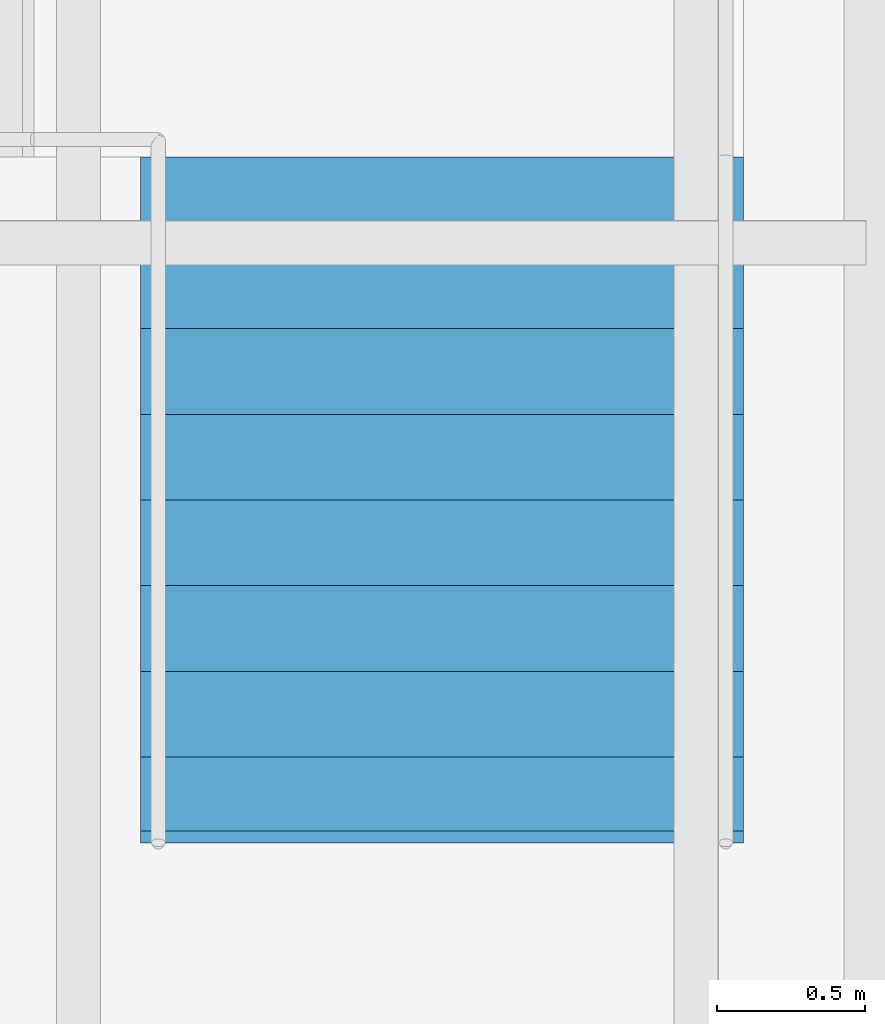
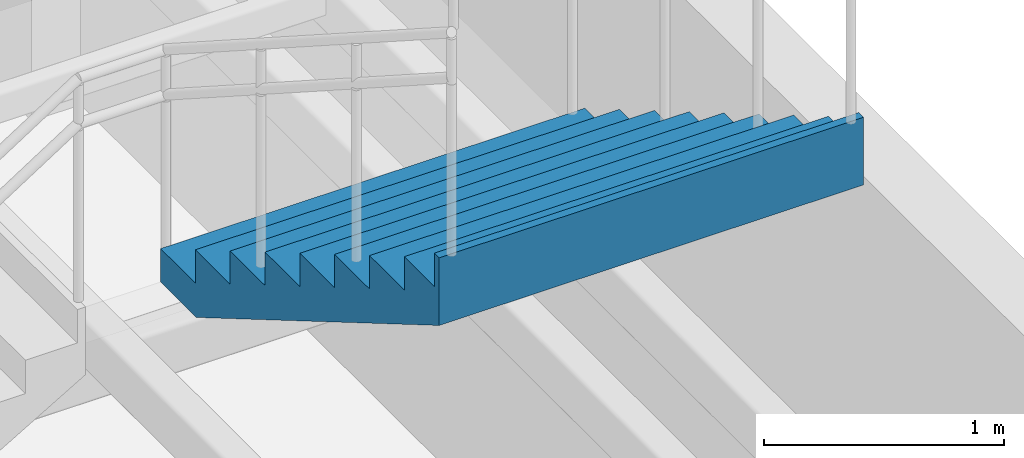
# One storey, part 62 of 69: 1 stair flight, 1 element without a shape of its own.
"""IFC4 building model written with IfcOpenShell, lengths in metres."""

from ifc_helpers import new_model, si_unit, direction, frame, origin, place, context, subcontext, project, spatial, triangles, material, type_object, element, aggregate, save


model = new_model("IFC4")

# Units and contexts
model_context = context("Model", 3, precision=1e-05, world=origin(), true_north=direction((0.0, 1.0)))
body_context = subcontext(model_context, "Body", "Model", "MODEL_VIEW")
ifc_project = project(units=[si_unit("LENGTHUNIT", "METRE"), si_unit("AREAUNIT", "SQUARE_METRE"), si_unit("VOLUMEUNIT", "CUBIC_METRE"), si_unit("PLANEANGLEUNIT", "RADIAN"), si_unit("MASSUNIT", "GRAM", prefix="KILO")], contexts=[model_context])

# Site, building, storey
site_placement = place(None, origin())
site = spatial("IfcSite", under=ifc_project, at=site_placement, CompositionType="ELEMENT")
building_placement = place(site_placement, origin())
building = spatial("IfcBuilding", under=site, at=building_placement, Name="Sillaruma Civic Art Gallery", CompositionType="ELEMENT")
storey_placement = place(building_placement, frame((0.0, 0.0, 42.330078125)))
storey = spatial("IfcBuildingStorey", under=building, at=storey_placement, Name="L08", CompositionType="ELEMENT", Elevation=42.330078125)

# Stair, stair flight
ifc_material = material(Name="Concrete H35 (35 MPa)", Category="concrete")
stair_type = type_object("IfcStairType", Name="STR-3F-27", PredefinedType="TWO_QUARTER_TURN_STAIR", material=ifc_material)
stair_placement = place(storey_placement, origin())
stair = element("IfcStair", 1, at=stair_placement, inside=storey, type_object=stair_type, Name="Monumental Gallery Feature Stair ST-G05 (L08)", PredefinedType="TWO_QUARTER_TURN_STAIR")
stair_flight_type = type_object("IfcStairFlightType", Name="SFL-STR-9", PredefinedType="STRAIGHT", material=ifc_material)
stair_flight_placement = place(storey_placement, frame((90.340087890625, 83.659912109375, 3.059814453125), z_axis=(0.0, 0.0, 1.0), x_axis=(0.0, -1.0, 0.0)))
stair_flight = element("IfcStairFlight", 2, at=stair_flight_placement, type_object=stair_flight_type, Name="ST-G05 flight 3", NumberOfRisers=9, NumberOfTreads=8, PredefinedType="STRAIGHT", RiserHeight=0.17, TreadLength=0.29, context=body_context, shape_type="Tessellation", body=[
    triangles([(0.0, -1.02001953125, 0.0), (0.29, -1.02001953125, 0.0), (0.296482, -1.02001953125, 0.0), (0.58, -1.02001953125, 0.1662), (0.87, -1.02001953125, 0.3362), (1.16, -1.02001953125, 0.5062), (1.45, -1.02001953125, 0.6762), (1.74, -1.02001953125, 0.8462), (2.03, -1.02001953125, 1.0162), (2.280068, -1.02001953125, 1.162792), (2.320068, -1.02001953125, 1.18624), (2.320068, -1.02001953125, 1.53), (2.280068, -1.02001953125, 1.53), (2.280068, -1.02001953125, 1.36), (2.03, -1.02001953125, 1.36), (2.03, -1.02001953125, 1.19), (1.74, -1.02001953125, 1.19), (1.74, -1.02001953125, 1.02), (1.45, -1.02001953125, 1.02), (1.45, -1.02001953125, 0.85), (1.16, -1.02001953125, 0.85), (1.16, -1.02001953125, 0.68), (0.87, -1.02001953125, 0.68), (0.87, -1.02001953125, 0.51), (0.58, -1.02001953125, 0.51), (0.58, -1.02001953125, 0.34), (0.296482, -1.02001953125, 0.34), (0.29, -1.02001953125, 0.34), (0.29, -1.02001953125, 0.17), (0.0, -1.02001953125, 0.17), (0.0, -0.05, 0.0), (0.29, -0.05, 0.0), (0.296482, -0.05, 0.0), (0.58, -0.05, 0.1662), (0.87, -0.05, 0.3362), (1.16, -0.05, 0.5062), (1.45, -0.05, 0.6762), (1.74, -0.05, 0.8462), (2.03, -0.05, 1.0162), (2.280068, -0.05, 1.162792), (2.320068, -0.05, 1.18624), (2.320068, -0.05, 1.53), (2.280068, -0.05, 1.53), (2.280068, -0.05, 1.36), (2.03, -0.05, 1.36), (2.03, -0.05, 1.19), (1.74, -0.05, 1.19), (1.74, -0.05, 1.02), (1.45, -0.05, 1.02), (1.45, -0.05, 0.85), (1.16, -0.05, 0.85), (1.16, -0.05, 0.68), (0.87, -0.05, 0.68), (0.87, -0.05, 0.51), (0.58, -0.05, 0.51), (0.58, -0.05, 0.34), (0.296482, -0.05, 0.34), (0.29, -0.05, 0.34), (0.29, -0.05, 0.17), (0.0, -0.05, 0.17), (0.0, -0.0375, 0.0), (0.29, -0.0375, 0.0), (0.296482, -0.0375, 0.0), (0.58, -0.0375, 0.1662), (0.87, -0.0375, 0.3362), (1.16, -0.0375, 0.5062), (1.45, -0.0375, 0.6762), (1.74, -0.0375, 0.8462), (2.03, -0.0375, 1.0162), (2.280068, -0.0375, 1.162792), (2.320068, -0.0375, 1.18624), (2.320068, -0.0375, 1.53), (2.280068, -0.0375, 1.53), (2.280068, -0.0375, 1.36), (2.03, -0.0375, 1.36), (2.03, -0.0375, 1.19), (1.74, -0.0375, 1.19), (1.74, -0.0375, 1.02), (1.45, -0.0375, 1.02), (1.45, -0.0375, 0.85), (1.16, -0.0375, 0.85), (1.16, -0.0375, 0.68), (0.87, -0.0375, 0.68), (0.87, -0.0375, 0.51), (0.58, -0.0375, 0.51), (0.58, -0.0375, 0.34), (0.296482, -0.0375, 0.34), (0.29, -0.0375, 0.34), (0.29, -0.0375, 0.17), (0.0, -0.0375, 0.17), (0.0, -0.025, 0.0), (0.29, -0.025, 0.0), (0.296482, -0.025, 0.0), (0.58, -0.025, 0.1662), (0.87, -0.025, 0.3362), (1.16, -0.025, 0.5062), (1.45, -0.025, 0.6762), (1.74, -0.025, 0.8462), (2.03, -0.025, 1.0162), (2.280068, -0.025, 1.162792), (2.320068, -0.025, 1.18624), (2.320068, -0.025, 1.53), (2.280068, -0.025, 1.53), (2.280068, -0.025, 1.36), (2.03, -0.025, 1.36), (2.03, -0.025, 1.19), (1.74, -0.025, 1.19), (1.74, -0.025, 1.02), (1.45, -0.025, 1.02), (1.45, -0.025, 0.85), (1.16, -0.025, 0.85), (1.16, -0.025, 0.68), (0.87, -0.025, 0.68), (0.87, -0.025, 0.51), (0.58, -0.025, 0.51), (0.58, -0.025, 0.34), (0.296482, -0.025, 0.34), (0.29, -0.025, 0.34), (0.29, -0.025, 0.17), (0.0, -0.025, 0.17), (0.0, -0.0125, 0.0), (0.29, -0.0125, 0.0), (0.296482, -0.0125, 0.0), (0.58, -0.0125, 0.1662), (0.87, -0.0125, 0.3362), (1.16, -0.0125, 0.5062), (1.45, -0.0125, 0.6762), (1.74, -0.0125, 0.8462), (2.03, -0.0125, 1.0162), (2.280068, -0.0125, 1.162792), (2.320068, -0.0125, 1.18624), (2.320068, -0.0125, 1.53), (2.280068, -0.0125, 1.53), (2.280068, -0.0125, 1.36), (2.03, -0.0125, 1.36), (2.03, -0.0125, 1.19), (1.74, -0.0125, 1.19), (1.74, -0.0125, 1.02), (1.45, -0.0125, 1.02), (1.45, -0.0125, 0.85), (1.16, -0.0125, 0.85), (1.16, -0.0125, 0.68), (0.87, -0.0125, 0.68), (0.87, -0.0125, 0.51), (0.58, -0.0125, 0.51), (0.58, -0.0125, 0.34), (0.296482, -0.0125, 0.34), (0.29, -0.0125, 0.34), (0.29, -0.0125, 0.17), (0.0, -0.0125, 0.17), (0.0, 0.0, 0.0), (0.29, 0.0, 0.0), (0.296482, 0.0, 0.0), (0.58, 0.0, 0.1662), (0.87, 0.0, 0.3362), (1.16, 0.0, 0.5062), (1.45, 0.0, 0.6762), (1.74, 0.0, 0.8462), (2.03, 0.0, 1.0162), (2.280068, 0.0, 1.162792), (2.320068, 0.0, 1.18624), (2.320068, 0.0, 1.53), (2.280068, 0.0, 1.53), (2.280068, 0.0, 1.36), (2.03, 0.0, 1.36), (2.03, 0.0, 1.19), (1.74, 0.0, 1.19), (1.74, 0.0, 1.02), (1.45, 0.0, 1.02), (1.45, 0.0, 0.85), (1.16, 0.0, 0.85), (1.16, 0.0, 0.68), (0.87, 0.0, 0.68), (0.87, 0.0, 0.51), (0.58, 0.0, 0.51), (0.58, 0.0, 0.34), (0.296482, 0.0, 0.34), (0.29, 0.0, 0.34), (0.29, 0.0, 0.17), (0.0, 0.0, 0.17), (0.0, 0.0125, 0.0), (0.29, 0.0125, 0.0), (0.296482, 0.0125, 0.0), (0.58, 0.0125, 0.1662), (0.87, 0.0125, 0.3362), (1.16, 0.0125, 0.5062), (1.45, 0.0125, 0.6762), (1.74, 0.0125, 0.8462), (2.03, 0.0125, 1.0162), (2.280068, 0.0125, 1.162792), (2.320068, 0.0125, 1.18624), (2.320068, 0.0125, 1.53), (2.280068, 0.0125, 1.53), (2.280068, 0.0125, 1.36), (2.03, 0.0125, 1.36), (2.03, 0.0125, 1.19), (1.74, 0.0125, 1.19), (1.74, 0.0125, 1.02), (1.45, 0.0125, 1.02), (1.45, 0.0125, 0.85), (1.16, 0.0125, 0.85), (1.16, 0.0125, 0.68), (0.87, 0.0125, 0.68), (0.87, 0.0125, 0.51), (0.58, 0.0125, 0.51), (0.58, 0.0125, 0.34), (0.296482, 0.0125, 0.34), (0.29, 0.0125, 0.34), (0.29, 0.0125, 0.17), (0.0, 0.0125, 0.17), (0.0, 0.025, 0.0), (0.29, 0.025, 0.0), (0.296482, 0.025, 0.0), (0.58, 0.025, 0.1662), (0.87, 0.025, 0.3362), (1.16, 0.025, 0.5062), (1.45, 0.025, 0.6762), (1.74, 0.025, 0.8462), (2.03, 0.025, 1.0162), (2.280068, 0.025, 1.162792), (2.320068, 0.025, 1.18624), (2.320068, 0.025, 1.53), (2.280068, 0.025, 1.53), (2.280068, 0.025, 1.36), (2.03, 0.025, 1.36), (2.03, 0.025, 1.19), (1.74, 0.025, 1.19), (1.74, 0.025, 1.02), (1.45, 0.025, 1.02), (1.45, 0.025, 0.85), (1.16, 0.025, 0.85), (1.16, 0.025, 0.68), (0.87, 0.025, 0.68), (0.87, 0.025, 0.51), (0.58, 0.025, 0.51), (0.58, 0.025, 0.34), (0.296482, 0.025, 0.34), (0.29, 0.025, 0.34), (0.29, 0.025, 0.17), (0.0, 0.025, 0.17), (0.0, 0.0375, 0.0), (0.29, 0.0375, 0.0), (0.296482, 0.0375, 0.0), (0.58, 0.0375, 0.1662), (0.87, 0.0375, 0.3362), (1.16, 0.0375, 0.5062), (1.45, 0.0375, 0.6762), (1.74, 0.0375, 0.8462), (2.03, 0.0375, 1.0162), (2.280068, 0.0375, 1.162792), (2.320068, 0.0375, 1.18624), (2.320068, 0.0375, 1.53), (2.280068, 0.0375, 1.53), (2.280068, 0.0375, 1.36), (2.03, 0.0375, 1.36), (2.03, 0.0375, 1.19), (1.74, 0.0375, 1.19), (1.74, 0.0375, 1.02), (1.45, 0.0375, 1.02), (1.45, 0.0375, 0.85), (1.16, 0.0375, 0.85), (1.16, 0.0375, 0.68), (0.87, 0.0375, 0.68), (0.87, 0.0375, 0.51), (0.58, 0.0375, 0.51), (0.58, 0.0375, 0.34), (0.296482, 0.0375, 0.34), (0.29, 0.0375, 0.34), (0.29, 0.0375, 0.17), (0.0, 0.0375, 0.17), (0.0, 0.05, 0.0), (0.29, 0.05, 0.0), (0.296482, 0.05, 0.0), (0.58, 0.05, 0.1662), (0.87, 0.05, 0.3362), (1.16, 0.05, 0.5062), (1.45, 0.05, 0.6762), (1.74, 0.05, 0.8462), (2.03, 0.05, 1.0162), (2.280068, 0.05, 1.162792), (2.320068, 0.05, 1.18624), (2.320068, 0.05, 1.53), (2.280068, 0.05, 1.53), (2.280068, 0.05, 1.36), (2.03, 0.05, 1.36), (2.03, 0.05, 1.19), (1.74, 0.05, 1.19), (1.74, 0.05, 1.02), (1.45, 0.05, 1.02), (1.45, 0.05, 0.85), (1.16, 0.05, 0.85), (1.16, 0.05, 0.68), (0.87, 0.05, 0.68), (0.87, 0.05, 0.51), (0.58, 0.05, 0.51), (0.58, 0.05, 0.34), (0.296482, 0.05, 0.34), (0.29, 0.05, 0.34), (0.29, 0.05, 0.17), (0.0, 0.05, 0.17), (0.0, 1.02001953125, 0.0), (0.29, 1.02001953125, 0.0), (0.296482, 1.02001953125, 0.0), (0.58, 1.02001953125, 0.1662), (0.87, 1.02001953125, 0.3362), (1.16, 1.02001953125, 0.5062), (1.45, 1.02001953125, 0.6762), (1.74, 1.02001953125, 0.8462), (2.03, 1.02001953125, 1.0162), (2.280068, 1.02001953125, 1.162792), (2.320068, 1.02001953125, 1.18624), (2.320068, 1.02001953125, 1.53), (2.280068, 1.02001953125, 1.53), (2.280068, 1.02001953125, 1.36), (2.03, 1.02001953125, 1.36), (2.03, 1.02001953125, 1.19), (1.74, 1.02001953125, 1.19), (1.74, 1.02001953125, 1.02), (1.45, 1.02001953125, 1.02), (1.45, 1.02001953125, 0.85), (1.16, 1.02001953125, 0.85), (1.16, 1.02001953125, 0.68), (0.87, 1.02001953125, 0.68), (0.87, 1.02001953125, 0.51), (0.58, 1.02001953125, 0.51), (0.58, 1.02001953125, 0.34), (0.296482, 1.02001953125, 0.34), (0.29, 1.02001953125, 0.34), (0.29, 1.02001953125, 0.17), (0.0, 1.02001953125, 0.17)], [[1, 2, 29], [1, 29, 30], [2, 3, 27], [2, 27, 29], [29, 27, 28], [3, 4, 26], [3, 26, 27], [4, 5, 24], [4, 24, 26], [26, 24, 25], [5, 6, 22], [5, 22, 24], [24, 22, 23], [6, 7, 20], [6, 20, 22], [22, 20, 21], [7, 8, 18], [7, 18, 20], [20, 18, 19], [8, 9, 16], [8, 16, 18], [18, 16, 17], [9, 10, 14], [9, 14, 16], [16, 14, 15], [10, 11, 12], [10, 12, 14], [14, 12, 13], [329, 302, 301], [330, 329, 301], [327, 303, 302], [329, 327, 302], [328, 327, 329], [326, 304, 303], [327, 326, 303], [324, 305, 304], [326, 324, 304], [325, 324, 326], [322, 306, 305], [324, 322, 305], [323, 322, 324], [320, 307, 306], [322, 320, 306], [321, 320, 322], [318, 308, 307], [320, 318, 307], [319, 318, 320], [316, 309, 308], [318, 316, 308], [317, 316, 318], [314, 310, 309], [316, 314, 309], [315, 314, 316], [312, 311, 310], [314, 312, 310], [313, 312, 314], [2, 1, 31], [2, 31, 32], [3, 2, 32], [3, 32, 33], [4, 3, 33], [4, 33, 34], [5, 4, 34], [5, 34, 35], [6, 5, 35], [6, 35, 36], [7, 6, 36], [7, 36, 37], [8, 7, 37], [8, 37, 38], [9, 8, 38], [9, 38, 39], [10, 9, 39], [10, 39, 40], [11, 10, 40], [11, 40, 41], [12, 11, 41], [12, 41, 42], [13, 12, 42], [13, 42, 43], [14, 13, 43], [14, 43, 44], [15, 14, 44], [15, 44, 45], [16, 15, 45], [16, 45, 46], [17, 16, 46], [17, 46, 47], [18, 17, 47], [18, 47, 48], [19, 18, 48], [19, 48, 49], [20, 19, 49], [20, 49, 50], [21, 20, 50], [21, 50, 51], [22, 21, 51], [22, 51, 52], [23, 22, 52], [23, 52, 53], [24, 23, 53], [24, 53, 54], [25, 24, 54], [25, 54, 55], [26, 25, 55], [26, 55, 56], [27, 26, 56], [27, 56, 57], [28, 27, 57], [28, 57, 58], [29, 28, 58], [29, 58, 59], [30, 29, 59], [30, 59, 60], [1, 30, 60], [1, 60, 31], [32, 31, 61], [32, 61, 62], [33, 32, 62], [33, 62, 63], [34, 33, 63], [34, 63, 64], [35, 34, 64], [35, 64, 65], [36, 35, 65], [36, 65, 66], [37, 36, 66], [37, 66, 67], [38, 37, 67], [38, 67, 68], [39, 38, 68], [39, 68, 69], [40, 39, 69], [40, 69, 70], [41, 40, 70], [41, 70, 71], [42, 41, 71], [42, 71, 72], [43, 42, 72], [43, 72, 73], [44, 43, 73], [44, 73, 74], [45, 44, 74], [45, 74, 75], [46, 45, 75], [46, 75, 76], [47, 46, 76], [47, 76, 77], [48, 47, 77], [48, 77, 78], [49, 48, 78], [49, 78, 79], [50, 49, 79], [50, 79, 80], [51, 50, 80], [51, 80, 81], [52, 51, 81], [52, 81, 82], [53, 52, 82], [53, 82, 83], [54, 53, 83], [54, 83, 84], [55, 54, 84], [55, 84, 85], [56, 55, 85], [56, 85, 86], [57, 56, 86], [57, 86, 87], [58, 57, 87], [58, 87, 88], [59, 58, 88], [59, 88, 89], [60, 59, 89], [60, 89, 90], [31, 60, 90], [31, 90, 61], [62, 61, 91], [62, 91, 92], [63, 62, 92], [63, 92, 93], [64, 63, 93], [64, 93, 94], [65, 64, 94], [65, 94, 95], [66, 65, 95], [66, 95, 96], [67, 66, 96], [67, 96, 97], [68, 67, 97], [68, 97, 98], [69, 68, 98], [69, 98, 99], [70, 69, 99], [70, 99, 100], [71, 70, 100], [71, 100, 101], [72, 71, 101], [72, 101, 102], [73, 72, 102], [73, 102, 103], [74, 73, 103], [74, 103, 104], [75, 74, 104], [75, 104, 105], [76, 75, 105], [76, 105, 106], [77, 76, 106], [77, 106, 107], [78, 77, 107], [78, 107, 108], [79, 78, 108], [79, 108, 109], [80, 79, 109], [80, 109, 110], [81, 80, 110], [81, 110, 111], [82, 81, 111], [82, 111, 112], [83, 82, 112], [83, 112, 113], [84, 83, 113], [84, 113, 114], [85, 84, 114], [85, 114, 115], [86, 85, 115], [86, 115, 116], [87, 86, 116], [87, 116, 117], [88, 87, 117], [88, 117, 118], [89, 88, 118], [89, 118, 119], [90, 89, 119], [90, 119, 120], [61, 90, 120], [61, 120, 91], [92, 91, 121], [92, 121, 122], [93, 92, 122], [93, 122, 123], [94, 93, 123], [94, 123, 124], [95, 94, 124], [95, 124, 125], [96, 95, 125], [96, 125, 126], [97, 96, 126], [97, 126, 127], [98, 97, 127], [98, 127, 128], [99, 98, 128], [99, 128, 129], [100, 99, 129], [100, 129, 130], [101, 100, 130], [101, 130, 131], [102, 101, 131], [102, 131, 132], [103, 102, 132], [103, 132, 133], [104, 103, 133], [104, 133, 134], [105, 104, 134], [105, 134, 135], [106, 105, 135], [106, 135, 136], [107, 106, 136], [107, 136, 137], [108, 107, 137], [108, 137, 138], [109, 108, 138], [109, 138, 139], [110, 109, 139], [110, 139, 140], [111, 110, 140], [111, 140, 141], [112, 111, 141], [112, 141, 142], [113, 112, 142], [113, 142, 143], [114, 113, 143], [114, 143, 144], [115, 114, 144], [115, 144, 145], [116, 115, 145], [116, 145, 146], [117, 116, 146], [117, 146, 147], [118, 117, 147], [118, 147, 148], [119, 118, 148], [119, 148, 149], [120, 119, 149], [120, 149, 150], [91, 120, 150], [91, 150, 121], [122, 121, 151], [122, 151, 152], [123, 122, 152], [123, 152, 153], [124, 123, 153], [124, 153, 154], [125, 124, 154], [125, 154, 155], [126, 125, 155], [126, 155, 156], [127, 126, 156], [127, 156, 157], [128, 127, 157], [128, 157, 158], [129, 128, 158], [129, 158, 159], [130, 129, 159], [130, 159, 160], [131, 130, 160], [131, 160, 161], [132, 131, 161], [132, 161, 162], [133, 132, 162], [133, 162, 163], [134, 133, 163], [134, 163, 164], [135, 134, 164], [135, 164, 165], [136, 135, 165], [136, 165, 166], [137, 136, 166], [137, 166, 167], [138, 137, 167], [138, 167, 168], [139, 138, 168], [139, 168, 169], [140, 139, 169], [140, 169, 170], [141, 140, 170], [141, 170, 171], [142, 141, 171], [142, 171, 172], [143, 142, 172], [143, 172, 173], [144, 143, 173], [144, 173, 174], [145, 144, 174], [145, 174, 175], [146, 145, 175], [146, 175, 176], [147, 146, 176], [147, 176, 177], [148, 147, 177], [148, 177, 178], [149, 148, 178], [149, 178, 179], [150, 149, 179], [150, 179, 180], [121, 150, 180], [121, 180, 151], [152, 151, 181], [152, 181, 182], [153, 152, 182], [153, 182, 183], [154, 153, 183], [154, 183, 184], [155, 154, 184], [155, 184, 185], [156, 155, 185], [156, 185, 186], [157, 156, 186], [157, 186, 187], [158, 157, 187], [158, 187, 188], [159, 158, 188], [159, 188, 189], [160, 159, 189], [160, 189, 190], [161, 160, 190], [161, 190, 191], [162, 161, 191], [162, 191, 192], [163, 162, 192], [163, 192, 193], [164, 163, 193], [164, 193, 194], [165, 164, 194], [165, 194, 195], [166, 165, 195], [166, 195, 196], [167, 166, 196], [167, 196, 197], [168, 167, 197], [168, 197, 198], [169, 168, 198], [169, 198, 199], [170, 169, 199], [170, 199, 200], [171, 170, 200], [171, 200, 201], [172, 171, 201], [172, 201, 202], [173, 172, 202], [173, 202, 203], [174, 173, 203], [174, 203, 204], [175, 174, 204], [175, 204, 205], [176, 175, 205], [176, 205, 206], [177, 176, 206], [177, 206, 207], [178, 177, 207], [178, 207, 208], [179, 178, 208], [179, 208, 209], [180, 179, 209], [180, 209, 210], [151, 180, 210], [151, 210, 181], [182, 181, 211], [182, 211, 212], [183, 182, 212], [183, 212, 213], [184, 183, 213], [184, 213, 214], [185, 184, 214], [185, 214, 215], [186, 185, 215], [186, 215, 216], [187, 186, 216], [187, 216, 217], [188, 187, 217], [188, 217, 218], [189, 188, 218], [189, 218, 219], [190, 189, 219], [190, 219, 220], [191, 190, 220], [191, 220, 221], [192, 191, 221], [192, 221, 222], [193, 192, 222], [193, 222, 223], [194, 193, 223], [194, 223, 224], [195, 194, 224], [195, 224, 225], [196, 195, 225], [196, 225, 226], [197, 196, 226], [197, 226, 227], [198, 197, 227], [198, 227, 228], [199, 198, 228], [199, 228, 229], [200, 199, 229], [200, 229, 230], [201, 200, 230], [201, 230, 231], [202, 201, 231], [202, 231, 232], [203, 202, 232], [203, 232, 233], [204, 203, 233], [204, 233, 234], [205, 204, 234], [205, 234, 235], [206, 205, 235], [206, 235, 236], [207, 206, 236], [207, 236, 237], [208, 207, 237], [208, 237, 238], [209, 208, 238], [209, 238, 239], [210, 209, 239], [210, 239, 240], [181, 210, 240], [181, 240, 211], [212, 211, 241], [212, 241, 242], [213, 212, 242], [213, 242, 243], [214, 213, 243], [214, 243, 244], [215, 214, 244], [215, 244, 245], [216, 215, 245], [216, 245, 246], [217, 216, 246], [217, 246, 247], [218, 217, 247], [218, 247, 248], [219, 218, 248], [219, 248, 249], [220, 219, 249], [220, 249, 250], [221, 220, 250], [221, 250, 251], [222, 221, 251], [222, 251, 252], [223, 222, 252], [223, 252, 253], [224, 223, 253], [224, 253, 254], [225, 224, 254], [225, 254, 255], [226, 225, 255], [226, 255, 256], [227, 226, 256], [227, 256, 257], [228, 227, 257], [228, 257, 258], [229, 228, 258], [229, 258, 259], [230, 229, 259], [230, 259, 260], [231, 230, 260], [231, 260, 261], [232, 231, 261], [232, 261, 262], [233, 232, 262], [233, 262, 263], [234, 233, 263], [234, 263, 264], [235, 234, 264], [235, 264, 265], [236, 235, 265], [236, 265, 266], [237, 236, 266], [237, 266, 267], [238, 237, 267], [238, 267, 268], [239, 238, 268], [239, 268, 269], [240, 239, 269], [240, 269, 270], [211, 240, 270], [211, 270, 241], [242, 241, 271], [242, 271, 272], [243, 242, 272], [243, 272, 273], [244, 243, 273], [244, 273, 274], [245, 244, 274], [245, 274, 275], [246, 245, 275], [246, 275, 276], [247, 246, 276], [247, 276, 277], [248, 247, 277], [248, 277, 278], [249, 248, 278], [249, 278, 279], [250, 249, 279], [250, 279, 280], [251, 250, 280], [251, 280, 281], [252, 251, 281], [252, 281, 282], [253, 252, 282], [253, 282, 283], [254, 253, 283], [254, 283, 284], [255, 254, 284], [255, 284, 285], [256, 255, 285], [256, 285, 286], [257, 256, 286], [257, 286, 287], [258, 257, 287], [258, 287, 288], [259, 258, 288], [259, 288, 289], [260, 259, 289], [260, 289, 290], [261, 260, 290], [261, 290, 291], [262, 261, 291], [262, 291, 292], [263, 262, 292], [263, 292, 293], [264, 263, 293], [264, 293, 294], [265, 264, 294], [265, 294, 295], [266, 265, 295], [266, 295, 296], [267, 266, 296], [267, 296, 297], [268, 267, 297], [268, 297, 298], [269, 268, 298], [269, 298, 299], [270, 269, 299], [270, 299, 300], [241, 270, 300], [241, 300, 271], [272, 271, 301], [272, 301, 302], [273, 272, 302], [273, 302, 303], [274, 273, 303], [274, 303, 304], [275, 274, 304], [275, 304, 305], [276, 275, 305], [276, 305, 306], [277, 276, 306], [277, 306, 307], [278, 277, 307], [278, 307, 308], [279, 278, 308], [279, 308, 309], [280, 279, 309], [280, 309, 310], [281, 280, 310], [281, 310, 311], [282, 281, 311], [282, 311, 312], [283, 282, 312], [283, 312, 313], [284, 283, 313], [284, 313, 314], [285, 284, 314], [285, 314, 315], [286, 285, 315], [286, 315, 316], [287, 286, 316], [287, 316, 317], [288, 287, 317], [288, 317, 318], [289, 288, 318], [289, 318, 319], [290, 289, 319], [290, 319, 320], [291, 290, 320], [291, 320, 321], [292, 291, 321], [292, 321, 322], [293, 292, 322], [293, 322, 323], [294, 293, 323], [294, 323, 324], [295, 294, 324], [295, 324, 325], [296, 295, 325], [296, 325, 326], [297, 296, 326], [297, 326, 327], [298, 297, 327], [298, 327, 328], [299, 298, 328], [299, 328, 329], [300, 299, 329], [300, 329, 330], [271, 300, 330], [271, 330, 301]], closed=True),
])
aggregate(stair, [stair_flight])

save(model, "model.ifc")
